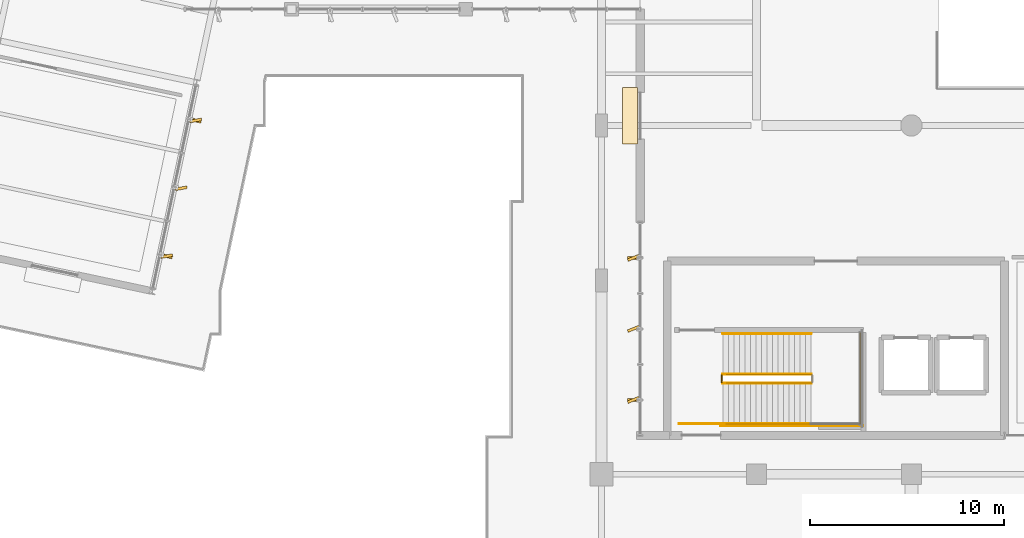
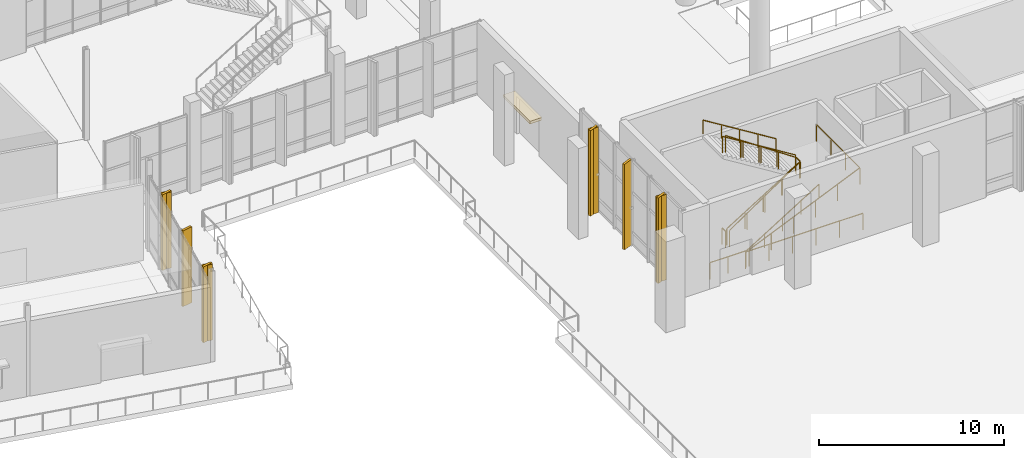
# One storey, part 145 of 163: 9 railings, 6 shading devices, 5 coverings.
"""IFC4 building model written with IfcOpenShell, lengths in metres."""

from ifc_helpers import new_model, si_unit, direction, frame, origin, origin_2d, place, context, subcontext, project, spatial, rectangle, extrude, material, layer, layer_set, type_object, element, save


model = new_model("IFC4")

# Units and contexts
model_context = context("Model", 3, precision=1e-05, world=origin(), true_north=direction((0.0, 1.0)))
body_context = subcontext(model_context, "Body", "Model", "MODEL_VIEW")
ifc_project = project(units=[si_unit("LENGTHUNIT", "METRE"), si_unit("AREAUNIT", "SQUARE_METRE"), si_unit("VOLUMEUNIT", "CUBIC_METRE"), si_unit("PLANEANGLEUNIT", "RADIAN"), si_unit("MASSUNIT", "GRAM", prefix="KILO")], contexts=[model_context])

# Site, building, storey
site_placement = place(None, origin())
site = spatial("IfcSite", under=ifc_project, at=site_placement, CompositionType="ELEMENT")
building_placement = place(site_placement, origin())
building = spatial("IfcBuilding", under=site, at=building_placement, Name="Khorjan Park Terminus", CompositionType="ELEMENT")
storey_placement = place(building_placement, origin())
storey = spatial("IfcBuildingStorey", under=building, at=storey_placement, Name="L00", CompositionType="ELEMENT", Elevation=0.0)

# Coverings
ifc_material_1 = material(Name="Pigmented Precast GRC", Category="concrete")
ifc_layer_1 = layer(ifc_material_1, 0.16)
ifc_layer_set_1 = layer_set([ifc_layer_1], Name="Pigmented Precast GRC")
covering_type_1 = type_object("IfcCoveringType", Name="CV-FIN-GRC", PredefinedType="CLADDING", material=ifc_layer_set_1)
for number, where, z_axis, x_axis, name in (
    (1, (49.645, 37.1667, -0.02), (0.0, 0.0, 1.0), (1.0, 0.0, 0.0), "Projecting desert-sandstone GRC facade fin CL-FN1 (CW-V2-W-L00-01-1)"),
    (2, (49.645, 29.8333, -0.02), (0.0, 0.0, 1.0), (1.0, 0.0, 0.0), "Projecting desert-sandstone GRC facade fin CL-FN1 (CW-V2-W-L00-01-5)"),
):
    element("IfcCovering", number, at=place(storey_placement, frame(where, z_axis=z_axis, x_axis=x_axis)), inside=storey, type_object=covering_type_1, Name=name, PredefinedType="CLADDING", context=body_context, shape_type="SweptSolid", body=[
        extrude(rectangle(XDim=0.58, YDim=0.16, at=origin_2d()), origin(), (0.0, 0.0, 1.0), 5.66),
    ])
for number, where, z_axis, x_axis, name in (
    (3, (25.5581, 37.2552, -0.02), (0.0, 0.0, 1.0), (-0.978147600734, 0.207911690818, 0.0), "Projecting desert-sandstone GRC facade fin CL-FN1 (CW-V4-E-L00-B01-1)"),
    (4, (27.0466, 44.2583, -0.02), (0.0, 0.0, 1.0), (-0.978147600734, 0.207911690818, 0.0), "Projecting desert-sandstone GRC facade fin CL-FN1 (CW-V4-E-L00-B01-5)"),
):
    element("IfcCovering", number, at=place(storey_placement, frame(where, z_axis=z_axis, x_axis=x_axis)), inside=storey, type_object=covering_type_1, Name=name, PredefinedType="CLADDING", context=body_context, shape_type="SweptSolid", body=[
        extrude(rectangle(XDim=0.58, YDim=0.16, at=origin_2d()), origin(), (0.0, 0.0, 1.0), 5.015),
    ])
ifc_layer_2 = layer(ifc_material_1, 0.18)
ifc_layer_set_2 = layer_set([ifc_layer_2], Name="Pigmented Precast GRC")
covering_type_2 = type_object("IfcCoveringType", Name="CV-HOOD-GRC", PredefinedType="CLADDING", material=ifc_layer_set_2)
covering_placement = place(storey_placement, frame((49.47, 44.5, 2.51), z_axis=(0.0, 0.0, 1.0), x_axis=(0.0, -1.0, 0.0)))
element("IfcCovering", 5, at=covering_placement, inside=storey, type_object=covering_type_2, Name="Projecting pigmented-GRC entrance canopy hood CL-HD1 (EW-V2-W-L00-02)", PredefinedType="CLADDING", context=body_context, shape_type="SweptSolid", body=[
    extrude(rectangle(XDim=2.9, YDim=0.76, at=origin_2d()), origin(), (0.0, 0.0, 1.0), 0.18),
])

# Railings
ifc_material_2 = material(Name="Steel S355", Category="steel")
railing_type_1 = type_object("IfcRailingType", Name="GR-112", PredefinedType="GUARDRAIL", material=ifc_material_2)
railing_1_placement = place(storey_placement, frame((54.26, 30.7, 0.1765)))
element("IfcRailing", 6, at=railing_1_placement, inside=storey, type_object=railing_type_1, Name="L00 ST-01 stair guard 1", PredefinedType="GUARDRAIL", context=body_context, shape_type="SweptSolid", body=[
    extrude(rectangle(XDim=0.048, YDim=0.048, at=origin_2d()), frame((0.0, 0.0, 1.096), z_axis=(0.850211499722, 0.0, 0.526441265234), x_axis=(0.0, 1.0, 0.0)), (0.0, 0.0, 1.0), 5.3634),
    extrude(rectangle(XDim=0.042, YDim=0.042, at=origin_2d()), origin(), (0.0, 0.0, 1.0), 1.072),
    extrude(rectangle(XDim=0.042, YDim=0.042, at=origin_2d()), frame((1.14, 0.0, 0.7059)), (0.0, 0.0, 1.0), 1.072),
    extrude(rectangle(XDim=0.042, YDim=0.042, at=origin_2d()), frame((2.28, 0.0, 1.4118)), (0.0, 0.0, 1.0), 1.072),
    extrude(rectangle(XDim=0.042, YDim=0.042, at=origin_2d()), frame((3.42, 0.0, 2.1176)), (0.0, 0.0, 1.0), 1.072),
    extrude(rectangle(XDim=0.042, YDim=0.042, at=origin_2d()), frame((4.56, 0.0, 2.8235)), (0.0, 0.0, 1.0), 1.072),
])
railing_2_placement = place(storey_placement, frame((58.82, 31.16, 3.1765)))
element("IfcRailing", 7, at=railing_2_placement, inside=storey, type_object=railing_type_1, Name="L00 ST-01 stair guard 5", PredefinedType="GUARDRAIL", context=body_context, shape_type="SweptSolid", body=[
    extrude(rectangle(XDim=0.048, YDim=0.048, at=origin_2d()), frame((0.0, 0.0, 1.096), z_axis=(-0.850211499722, 0.0, 0.526441265234), x_axis=(0.0, -1.0, 0.0)), (0.0, 0.0, 1.0), 5.3634),
    extrude(rectangle(XDim=0.042, YDim=0.042, at=origin_2d()), origin(), (0.0, 0.0, 1.0), 1.072),
    extrude(rectangle(XDim=0.042, YDim=0.042, at=origin_2d()), frame((-1.14, 0.0, 0.7059)), (0.0, 0.0, 1.0), 1.072),
    extrude(rectangle(XDim=0.042, YDim=0.042, at=origin_2d()), frame((-2.28, 0.0, 1.4118)), (0.0, 0.0, 1.0), 1.072),
    extrude(rectangle(XDim=0.042, YDim=0.042, at=origin_2d()), frame((-3.42, 0.0, 2.1176)), (0.0, 0.0, 1.0), 1.072),
    extrude(rectangle(XDim=0.042, YDim=0.042, at=origin_2d()), frame((-4.56, 0.0, 2.8235)), (0.0, 0.0, 1.0), 1.072),
])
railing_3_placement = place(storey_placement, frame((54.21, 30.75, 0.0)))
element("IfcRailing", 8, at=railing_3_placement, inside=storey, type_object=railing_type_1, Name="L00 ST-01 stair guard 6", PredefinedType="GUARDRAIL", context=body_context, shape_type="SweptSolid", body=[
    extrude(rectangle(XDim=0.048, YDim=0.048, at=origin_2d()), frame((0.0, 0.0, 1.096), z_axis=(0.0, 1.0, 0.0), x_axis=(-1.0, 0.0, 0.0)), (0.0, 0.0, 1.0), 0.36),
    extrude(rectangle(XDim=0.042, YDim=0.042, at=origin_2d()), origin(), (0.0, 0.0, 1.0), 1.072),
    extrude(rectangle(XDim=0.042, YDim=0.042, at=origin_2d()), frame((0.0, 0.36, 0.0)), (0.0, 0.0, 1.0), 1.072),
])
railing_4_placement = place(storey_placement, frame((52.0, 28.6, 0.0)))
element("IfcRailing", 9, at=railing_4_placement, inside=storey, type_object=railing_type_1, Name="L00 ST-01 stair guard 7", PredefinedType="GUARDRAIL", context=body_context, shape_type="SweptSolid", body=[
    extrude(rectangle(XDim=0.048, YDim=0.048, at=origin_2d()), frame((0.0, 0.0, 1.096), z_axis=(1.0, 0.0, 0.0), x_axis=(0.0, 1.0, 0.0)), (0.0, 0.0, 1.0), 2.26),
    extrude(rectangle(XDim=0.042, YDim=0.042, at=origin_2d()), origin(), (0.0, 0.0, 1.0), 1.072),
    extrude(rectangle(XDim=0.042, YDim=0.042, at=origin_2d()), frame((1.13, 0.0, 0.0)), (0.0, 0.0, 1.0), 1.072),
    extrude(rectangle(XDim=0.042, YDim=0.042, at=origin_2d()), frame((2.26, 0.0, 0.0)), (0.0, 0.0, 1.0), 1.072),
])
railing_5_placement = place(storey_placement, frame((54.16, 28.5, 0.0)))
element("IfcRailing", 10, at=railing_5_placement, inside=storey, type_object=railing_type_1, Name="L00 ST-01 stair guard 8", PredefinedType="GUARDRAIL", context=body_context, shape_type="SweptSolid", body=[
    extrude(rectangle(XDim=0.048, YDim=0.048, at=origin_2d()), frame((0.0, 0.0, 1.096), z_axis=(1.0, 0.0, 0.0), x_axis=(0.0, 1.0, 0.0)), (0.0, 0.0, 1.0), 7.34),
    extrude(rectangle(XDim=0.042, YDim=0.042, at=origin_2d()), origin(), (0.0, 0.0, 1.0), 1.072),
    extrude(rectangle(XDim=0.042, YDim=0.042, at=origin_2d()), frame((1.468, 0.0, 0.0)), (0.0, 0.0, 1.0), 1.072),
    extrude(rectangle(XDim=0.042, YDim=0.042, at=origin_2d()), frame((2.936, 0.0, 0.0)), (0.0, 0.0, 1.0), 1.072),
    extrude(rectangle(XDim=0.042, YDim=0.042, at=origin_2d()), frame((4.404, 0.0, 0.0)), (0.0, 0.0, 1.0), 1.072),
    extrude(rectangle(XDim=0.042, YDim=0.042, at=origin_2d()), frame((5.872, 0.0, 0.0)), (0.0, 0.0, 1.0), 1.072),
    extrude(rectangle(XDim=0.042, YDim=0.042, at=origin_2d()), frame((7.34, 0.0, 0.0)), (0.0, 0.0, 1.0), 1.072),
])
railing_6_placement = place(storey_placement, frame((54.44, 30.71, 0.0)))
element("IfcRailing", 11, at=railing_6_placement, inside=storey, type_object=railing_type_1, Name="Core K1 stair well slot guard GR-112 (L00)", PredefinedType="GUARDRAIL", context=body_context, shape_type="SweptSolid", body=[
    extrude(rectangle(XDim=0.048, YDim=0.048, at=origin_2d()), frame((0.0, 0.0, 1.096), z_axis=(0.827413642594, 0.0, 0.561592970086), x_axis=(0.0, 1.0, 0.0)), (0.0, 0.0, 1.0), 5.3419),
    extrude(rectangle(XDim=0.048, YDim=0.048, at=origin_2d()), frame((4.42, 0.0, 4.096), z_axis=(0.0, 1.0, 0.0), x_axis=(-1.0, 0.0, 0.0)), (0.0, 0.0, 1.0), 0.44),
    extrude(rectangle(XDim=0.048, YDim=0.048, at=origin_2d()), frame((4.42, 0.44, 4.096), z_axis=(-0.827413642594, 0.0, 0.561592970086), x_axis=(0.0, -1.0, 0.0)), (0.0, 0.0, 1.0), 5.3419),
    extrude(rectangle(XDim=0.042, YDim=0.042, at=origin_2d()), origin(), (0.0, 0.0, 1.0), 1.072),
    extrude(rectangle(XDim=0.042, YDim=0.042, at=origin_2d()), frame((1.105, 0.0, 0.75)), (0.0, 0.0, 1.0), 1.072),
    extrude(rectangle(XDim=0.042, YDim=0.042, at=origin_2d()), frame((2.21, 0.0, 1.5)), (0.0, 0.0, 1.0), 1.072),
    extrude(rectangle(XDim=0.042, YDim=0.042, at=origin_2d()), frame((3.315, 0.0, 2.25)), (0.0, 0.0, 1.0), 1.072),
    extrude(rectangle(XDim=0.042, YDim=0.042, at=origin_2d()), frame((4.42, 0.0, 3.0)), (0.0, 0.0, 1.0), 1.072),
    extrude(rectangle(XDim=0.042, YDim=0.042, at=origin_2d()), frame((4.42, 0.44, 3.0)), (0.0, 0.0, 1.0), 1.072),
    extrude(rectangle(XDim=0.042, YDim=0.042, at=origin_2d()), frame((3.315, 0.44, 3.75)), (0.0, 0.0, 1.0), 1.072),
    extrude(rectangle(XDim=0.042, YDim=0.042, at=origin_2d()), frame((2.21, 0.44, 4.5)), (0.0, 0.0, 1.0), 1.072),
    extrude(rectangle(XDim=0.042, YDim=0.042, at=origin_2d()), frame((1.105, 0.44, 5.25)), (0.0, 0.0, 1.0), 1.072),
    extrude(rectangle(XDim=0.042, YDim=0.042, at=origin_2d()), frame((0.0, 0.44, 6.0)), (0.0, 0.0, 1.0), 1.072),
])
railing_7_placement = place(storey_placement, frame((54.44, 28.59, 0.0)))
element("IfcRailing", 12, at=railing_7_placement, inside=storey, type_object=railing_type_1, Name="Core K1 stair side & landing guard GR-112 (L00)", PredefinedType="GUARDRAIL", context=body_context, shape_type="SweptSolid", body=[
    extrude(rectangle(XDim=0.048, YDim=0.048, at=origin_2d()), frame((0.0, 0.0, 1.096), z_axis=(0.917491118927, 0.0, 0.397756265431), x_axis=(0.0, 1.0, 0.0)), (0.0, 0.0, 1.0), 7.5423),
    extrude(rectangle(XDim=0.048, YDim=0.048, at=origin_2d()), frame((6.92, 0.0, 4.096), z_axis=(0.0, 1.0, 0.0), x_axis=(-1.0, 0.0, 0.0)), (0.0, 0.0, 1.0), 4.68),
    extrude(rectangle(XDim=0.042, YDim=0.042, at=origin_2d()), origin(), (0.0, 0.0, 1.0), 1.072),
    extrude(rectangle(XDim=0.042, YDim=0.042, at=origin_2d()), frame((1.384, 0.0, 0.6)), (0.0, 0.0, 1.0), 1.072),
    extrude(rectangle(XDim=0.042, YDim=0.042, at=origin_2d()), frame((2.768, 0.0, 1.2)), (0.0, 0.0, 1.0), 1.072),
    extrude(rectangle(XDim=0.042, YDim=0.042, at=origin_2d()), frame((4.152, 0.0, 1.8)), (0.0, 0.0, 1.0), 1.072),
    extrude(rectangle(XDim=0.042, YDim=0.042, at=origin_2d()), frame((5.536, 0.0, 2.4)), (0.0, 0.0, 1.0), 1.072),
    extrude(rectangle(XDim=0.042, YDim=0.042, at=origin_2d()), frame((6.92, 0.0, 3.0)), (0.0, 0.0, 1.0), 1.072),
    extrude(rectangle(XDim=0.042, YDim=0.042, at=origin_2d()), frame((6.92, 1.56, 3.0)), (0.0, 0.0, 1.0), 1.072),
    extrude(rectangle(XDim=0.042, YDim=0.042, at=origin_2d()), frame((6.92, 3.12, 3.0)), (0.0, 0.0, 1.0), 1.072),
    extrude(rectangle(XDim=0.042, YDim=0.042, at=origin_2d()), frame((6.92, 4.68, 3.0)), (0.0, 0.0, 1.0), 1.072),
])
railing_type_2 = type_object("IfcRailingType", Name="HR-92", PredefinedType="HANDRAIL", material=ifc_material_2)
railing_8_placement = place(storey_placement, frame((54.26, 28.6, 0.1765)))
element("IfcRailing", 13, at=railing_8_placement, inside=storey, type_object=railing_type_2, Name="L00 ST-01 stair handrail 1", PredefinedType="HANDRAIL", context=body_context, shape_type="SweptSolid", body=[
    extrude(rectangle(XDim=0.048, YDim=0.048, at=origin_2d()), frame((0.0, 0.0, 0.896), z_axis=(0.850211499722, 0.0, 0.526441265234), x_axis=(0.0, 1.0, 0.0)), (0.0, 0.0, 1.0), 5.3634),
    extrude(rectangle(XDim=0.042, YDim=0.042, at=origin_2d()), origin(), (0.0, 0.0, 1.0), 0.872),
    extrude(rectangle(XDim=0.042, YDim=0.042, at=origin_2d()), frame((1.14, 0.0, 0.7059)), (0.0, 0.0, 1.0), 0.872),
    extrude(rectangle(XDim=0.042, YDim=0.042, at=origin_2d()), frame((2.28, 0.0, 1.4118)), (0.0, 0.0, 1.0), 0.872),
    extrude(rectangle(XDim=0.042, YDim=0.042, at=origin_2d()), frame((3.42, 0.0, 2.1176)), (0.0, 0.0, 1.0), 0.872),
    extrude(rectangle(XDim=0.042, YDim=0.042, at=origin_2d()), frame((4.56, 0.0, 2.8235)), (0.0, 0.0, 1.0), 0.872),
])
railing_9_placement = place(storey_placement, frame((58.82, 33.26, 3.1765)))
element("IfcRailing", 14, at=railing_9_placement, inside=storey, type_object=railing_type_2, Name="L00 ST-01 stair handrail 2", PredefinedType="HANDRAIL", context=body_context, shape_type="SweptSolid", body=[
    extrude(rectangle(XDim=0.048, YDim=0.048, at=origin_2d()), frame((0.0, 0.0, 0.896), z_axis=(-0.850211499722, 0.0, 0.526441265234), x_axis=(0.0, -1.0, 0.0)), (0.0, 0.0, 1.0), 5.3634),
    extrude(rectangle(XDim=0.042, YDim=0.042, at=origin_2d()), origin(), (0.0, 0.0, 1.0), 0.872),
    extrude(rectangle(XDim=0.042, YDim=0.042, at=origin_2d()), frame((-1.14, 0.0, 0.7059)), (0.0, 0.0, 1.0), 0.872),
    extrude(rectangle(XDim=0.042, YDim=0.042, at=origin_2d()), frame((-2.28, 0.0, 1.4118)), (0.0, 0.0, 1.0), 0.872),
    extrude(rectangle(XDim=0.042, YDim=0.042, at=origin_2d()), frame((-3.42, 0.0, 2.1176)), (0.0, 0.0, 1.0), 0.872),
    extrude(rectangle(XDim=0.042, YDim=0.042, at=origin_2d()), frame((-4.56, 0.0, 2.8235)), (0.0, 0.0, 1.0), 0.872),
])

# Shading devices
ifc_material_3 = material(Name="Anodized Bronze Aluminium", Category="aluminium")
shading_device_type = type_object("IfcShadingDeviceType", Name="SD-FIN-620", PredefinedType="JALOUSIE", material=ifc_material_3)
for number, where, z_axis, x_axis, name in (
    (15, (49.645, 37.1667, -0.02), (0.0, 0.0, 1.0), (0.927183854567, 0.374606593416, 0.0), "Angled solar brise-soleil fin SF-62 (CW-V2-W-L00-01-1)"),
    (16, (49.645, 33.5, -0.02), (0.0, 0.0, 1.0), (0.927183854567, 0.374606593416, 0.0), "Angled solar brise-soleil fin SF-62 (CW-V2-W-L00-01-3)"),
    (17, (49.645, 29.8333, -0.02), (0.0, 0.0, 1.0), (0.927183854567, 0.374606593416, 0.0), "Angled solar brise-soleil fin SF-62 (CW-V2-W-L00-01-5)"),
):
    element("IfcShadingDevice", number, at=place(storey_placement, frame(where, z_axis=z_axis, x_axis=x_axis)), inside=storey, type_object=shading_device_type, Name=name, PredefinedType="JALOUSIE", context=body_context, shape_type="SweptSolid", body=[
        extrude(rectangle(XDim=0.62, YDim=0.14, at=origin_2d()), origin(), (0.0, 0.0, 1.0), 5.66),
    ])
for number, where, z_axis, x_axis, name in (
    (18, (25.5581, 37.2552, -0.02), (0.0, 0.0, 1.0), (-0.984807753012, -0.173648177667, 0.0), "Angled solar brise-soleil fin SF-62 (CW-V4-E-L00-B01-1)"),
    (19, (26.3023, 40.7568, -0.02), (0.0, 0.0, 1.0), (-0.984807753012, -0.173648177667, 0.0), "Angled solar brise-soleil fin SF-62 (CW-V4-E-L00-B01-3)"),
    (20, (27.0466, 44.2583, -0.02), (0.0, 0.0, 1.0), (-0.984807753012, -0.173648177667, 0.0), "Angled solar brise-soleil fin SF-62 (CW-V4-E-L00-B01-5)"),
):
    element("IfcShadingDevice", number, at=place(storey_placement, frame(where, z_axis=z_axis, x_axis=x_axis)), inside=storey, type_object=shading_device_type, Name=name, PredefinedType="JALOUSIE", context=body_context, shape_type="SweptSolid", body=[
        extrude(rectangle(XDim=0.62, YDim=0.14, at=origin_2d()), origin(), (0.0, 0.0, 1.0), 5.015),
    ])

save(model, "model.ifc")
